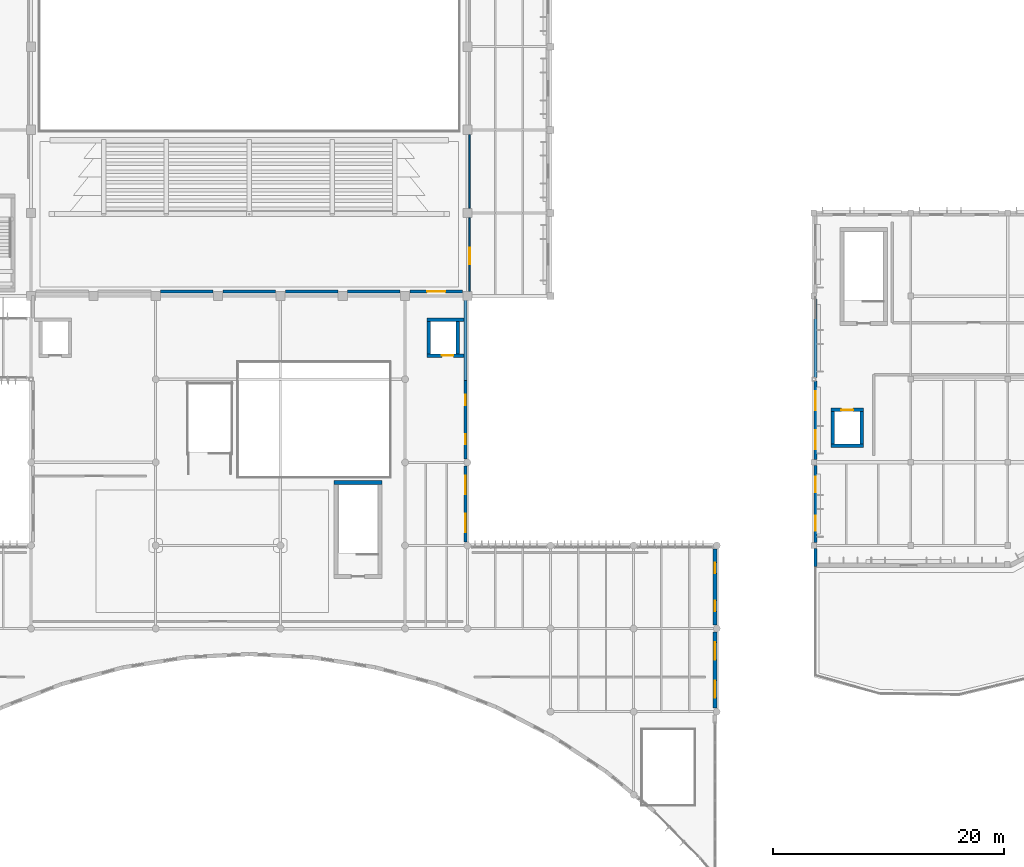
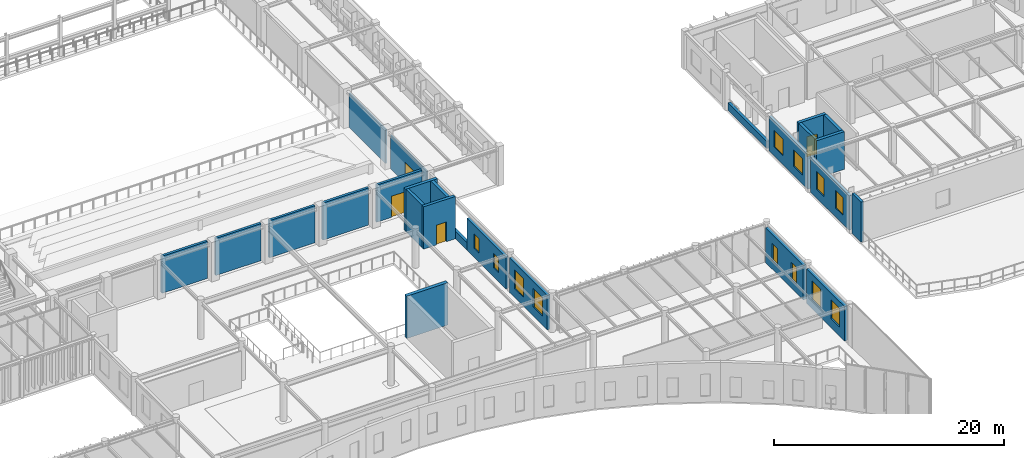
# One storey, part 40 of 104: 25 walls, 12 windows, 4 doors, 16 openings.
"""IFC4 building model written with IfcOpenShell, lengths in metres."""

import ifcopenshell
import ifcopenshell.guid

model = None  # the IFC model being written
_history = None  # IfcOwnerHistory: only IFC2X3 demands one
_inside = {}  # id of a spatial element -> (the spatial element, [elements in it])
_under = {}  # id of a project, library or spatial element -> (it, [spatial elements below it])
_declared = {}  # id of a project -> (the project, [libraries it declares])
_typed = {}  # id of a type object -> (the type object, [elements of that type])
_made_of = {}  # id of a material, layer set ... -> (it, [elements and type objects made of it])


def new_model(schema):
    """Start an empty IFC model of exactly this schema.

    Asked for "IFC4X3", IfcOpenShell would pick the latest addendum, in which some entities
    have other attributes; the version numbers below select the first issue.
    IFC2X3 requires an IfcOwnerHistory on every rooted entity: one is made here for all.
    """
    global model, _history
    if schema == "IFC4X3":
        model = ifcopenshell.file(schema_version=(4, 3, 0, 0))
    else:
        model = ifcopenshell.file(schema=schema)
    _inside.clear()
    _under.clear()
    _declared.clear()
    _typed.clear()
    _made_of.clear()
    _history = None
    if model.schema == "IFC2X3":
        org = make("IfcOrganization", Name="unknown")
        user = make(
            "IfcPersonAndOrganization",
            ThePerson=make("IfcPerson", FamilyName="unknown"),
            TheOrganization=org,
        )
        app = make(
            "IfcApplication",
            ApplicationDeveloper=org,
            Version="unknown",
            ApplicationFullName="unknown",
            ApplicationIdentifier="unknown",
        )
        _history = make(
            "IfcOwnerHistory",
            OwningUser=user,
            OwningApplication=app,
            ChangeAction="ADDED",
            CreationDate=0,
        )
    return model


def make(cls, **values):
    """One entity of the class cls with the attributes given. An attribute that is None is left unset."""
    return model.create_entity(
        cls, **{name: value for name, value in values.items() if value is not None}
    )


def rooted(cls, **values):
    """An entity with a GlobalId (a new one), such as an element, a storey or a relation."""
    return make(cls, GlobalId=ifcopenshell.guid.new(), OwnerHistory=_history, **values)


def si_unit(unit_type, name, prefix=None):
    """IfcSIUnit, for example si_unit("LENGTHUNIT", "METRE", prefix="MILLI")."""
    return make("IfcSIUnit", UnitType=unit_type, Prefix=prefix, Name=name)


def assignment(units):
    """IfcUnitAssignment: the units of a project."""
    return None if units is None else make("IfcUnitAssignment", Units=units)


def point(xyz):
    """IfcCartesianPoint."""
    return None if xyz is None else make("IfcCartesianPoint", Coordinates=xyz)


def direction(xyz):
    """IfcDirection."""
    return None if xyz is None else make("IfcDirection", DirectionRatios=xyz)


def frame(location, z_axis=None, x_axis=None):
    """IfcAxis2Placement3D, a coordinate frame: its origin and axes. An axis left out is left unset."""
    return make(
        "IfcAxis2Placement3D",
        Location=point(location),
        Axis=direction(z_axis),
        RefDirection=direction(x_axis),
    )


def frame_2d(location, x_axis=None):
    """IfcAxis2Placement2D, a coordinate frame in the plane: its origin and x axis."""
    return make(
        "IfcAxis2Placement2D", Location=point(location), RefDirection=direction(x_axis)
    )


def origin():
    """The frame at (0, 0, 0) with its axes left unset."""
    return frame((0.0, 0.0, 0.0))


def place(relative_to, where):
    """IfcLocalPlacement: puts the frame where relative to a parent placement (None: the world)."""
    return make(
        "IfcLocalPlacement", PlacementRelTo=relative_to, RelativePlacement=where
    )


def context(
    kind, dimensions, precision=None, world=None, true_north=None, identifier=None
):
    """IfcGeometricRepresentationContext, for example the 3D "Model" context."""
    return make(
        "IfcGeometricRepresentationContext",
        ContextIdentifier=identifier,
        ContextType=kind,
        CoordinateSpaceDimension=dimensions,
        Precision=precision,
        WorldCoordinateSystem=world,
        TrueNorth=true_north,
    )


def subcontext(parent, identifier, kind, view, scale=None):
    """IfcGeometricRepresentationSubContext, for example "Body" below "Model"."""
    return make(
        "IfcGeometricRepresentationSubContext",
        ContextIdentifier=identifier,
        ContextType=kind,
        ParentContext=parent,
        TargetScale=scale,
        TargetView=view,
    )


def project(units=None, contexts=None):
    """IfcProject with its units and contexts."""
    return rooted(
        "IfcProject",
        Name="project",
        RepresentationContexts=contexts,
        UnitsInContext=assignment(units),
    )


def spatial(cls, under=None, at=None, **own):
    """A site, building, storey or space (cls), placed at a placement, below another one or the project."""
    s = rooted(cls, ObjectPlacement=at, **own)
    if under is not None:
        _under.setdefault(under.id(), (under, []))[1].append(s)
    return s


def profile(cls, at=None, kind="AREA", **sizes):
    """A parametric profile (cls). Its sizes go by their IFC names, for example OverallWidth=200.0."""
    return make(cls, ProfileType=kind, Position=at, **sizes)


def rectangle(**sizes):
    """IfcRectangleProfileDef."""
    return profile("IfcRectangleProfileDef", **sizes)


def extrude(swept, where, along, depth):
    """IfcExtrudedAreaSolid: the profile swept, set in the frame where, extruded along a direction by depth."""
    return make(
        "IfcExtrudedAreaSolid",
        SweptArea=swept,
        Position=where,
        ExtrudedDirection=direction(along),
        Depth=depth,
    )


def shape(context_of_items, identifier, shape_type, items):
    """IfcShapeRepresentation: the items that make up one representation, for example the "Body"."""
    return make(
        "IfcShapeRepresentation",
        ContextOfItems=context_of_items,
        RepresentationIdentifier=identifier,
        RepresentationType=shape_type,
        Items=items,
    )


def material(Name=None, Category=None):
    """IfcMaterial."""
    return make("IfcMaterial", Name=Name, Category=Category)


def layer(
    of_material, thickness, ventilated=None, Name=None, Category=None, Priority=None
):
    """IfcMaterialLayer: one layer of a wall or slab, of a material (None: an air gap)."""
    return make(
        "IfcMaterialLayer",
        Material=of_material,
        LayerThickness=thickness,
        IsVentilated=ventilated,
        Name=Name,
        Category=Category,
        Priority=Priority,
    )


def layer_set(layers, Name=None):
    """IfcMaterialLayerSet."""
    return make("IfcMaterialLayerSet", MaterialLayers=layers, LayerSetName=Name)


def made_of(thing, what):
    """Note that an element or type object is made of a material, layer set ...; save() writes the relation."""
    if what is not None:
        _made_of.setdefault(what.id(), (what, []))[1].append(thing)
    return thing


def type_object(cls, material=None, **own):
    """A type object (cls), such as IfcWallType, which elements share."""
    return made_of(rooted(cls, **own), material)


def element(
    cls,
    number,
    at=None,
    inside=None,
    cuts=None,
    type_object=None,
    material=None,
    context=None,
    identifier="Body",
    shape_type=None,
    held_by="IfcProductDefinitionShape",
    body=None,
    shapes=None,
    **own,
):
    """One element of the class cls, such as IfcWall. Its Tag is "e" and its number.

    at: its placement. inside: the storey or other place that contains it. cuts: it is an
    opening in that element (IfcRelVoidsElement). A single representation is given by context,
    identifier, shape_type and body (its items); several are given by shapes. held_by: the class
    of the entity that holds the representations. save() writes the other relations.
    """
    e = rooted(cls, Tag="e%d" % number, ObjectPlacement=at, **own)
    if body is not None:
        shapes = [shape(context, identifier, shape_type, body)]
    if shapes is not None:
        e.Representation = make(held_by, Representations=shapes)
    if inside is not None:
        _inside.setdefault(inside.id(), (inside, []))[1].append(e)
    if cuts is not None:
        rooted(
            "IfcRelVoidsElement", RelatingBuildingElement=cuts, RelatedOpeningElement=e
        )
    if type_object is not None:
        _typed.setdefault(type_object.id(), (type_object, []))[1].append(e)
    return made_of(e, material)


def fill(opening, filler):
    """IfcRelFillsElement: the door or window that sits in an opening."""
    return rooted(
        "IfcRelFillsElement",
        RelatingOpeningElement=opening,
        RelatedBuildingElement=filler,
    )


def aggregate(whole, parts):
    """IfcRelAggregates: a whole, such as a stair, and the parts it consists of."""
    return rooted("IfcRelAggregates", RelatingObject=whole, RelatedObjects=parts)


def save(model, path):
    """Write the relations noted so far, then the file.

    IfcRelAggregates (storeys below a building ...), IfcRelContainedInSpatialStructure (elements
    in a storey), IfcRelDefinesByType, IfcRelAssociatesMaterial and IfcRelDeclares: one each for
    every whole, place, type object, material and project.
    """
    for whole, parts in _under.values():
        aggregate(whole, parts)
    for where, things in _inside.values():
        rooted(
            "IfcRelContainedInSpatialStructure",
            RelatedElements=things,
            RelatingStructure=where,
        )
    for kind, things in _typed.values():
        rooted("IfcRelDefinesByType", RelatedObjects=things, RelatingType=kind)
    for what, things in _made_of.values():
        rooted("IfcRelAssociatesMaterial", RelatedObjects=things, RelatingMaterial=what)
    for by, libraries in _declared.values():
        rooted("IfcRelDeclares", RelatingContext=by, RelatedDefinitions=libraries)
    model.write(path)


model = new_model("IFC4")

# Units and contexts
model_context = context("Model", 3, precision=1e-05, world=origin(), true_north=direction((0.0, 1.0)))
body_context = subcontext(model_context, "Body", "Model", "MODEL_VIEW")
ifc_project = project(units=[si_unit("LENGTHUNIT", "METRE"), si_unit("AREAUNIT", "SQUARE_METRE"), si_unit("VOLUMEUNIT", "CUBIC_METRE"), si_unit("PLANEANGLEUNIT", "RADIAN"), si_unit("MASSUNIT", "GRAM", prefix="KILO")], contexts=[model_context])

# Site, building, storey
site_placement = place(None, origin())
site = spatial("IfcSite", under=ifc_project, at=site_placement, CompositionType="ELEMENT")
building_placement = place(site_placement, origin())
building = spatial("IfcBuilding", under=site, at=building_placement, Name="Tazoul Stagehouse", CompositionType="ELEMENT")
storey_placement = place(building_placement, frame((0.0, 0.0, 9.0)))
storey = spatial("IfcBuildingStorey", under=building, at=storey_placement, Name="L02", CompositionType="ELEMENT", Elevation=9.0)

# Wall, opening, door
ifc_material_1 = material(Name="Gypsum Acoustic Partition", Category="gypsum")
ifc_layer_1 = layer(ifc_material_1, 0.25, Name="Gypsum Acoustic Partition")
ifc_layer_set_1 = layer_set([ifc_layer_1], Name="Gypsum Acoustic Partition")
wall_type_1 = type_object("IfcWallType", Name="Acoustic Hall Double-Stud Partition 250", PredefinedType="PARTITIONING", material=ifc_layer_set_1)
wall_1_placement = place(storey_placement, frame((94.97998046875, 52.199951171875, 0.0), z_axis=(0.0, 0.0, 1.0), x_axis=(-1.0, 0.0, 0.0)))
wall_1 = element("IfcWall", 1, at=wall_1_placement, inside=storey, type_object=wall_type_1, Name="L02 Partition PW-250 (PW-RM-L02-057-S-S1)", PredefinedType="PARTITIONING", context=body_context, shape_type="SweptSolid", body=[
    extrude(rectangle(XDim=4.56005859375, YDim=0.25, at=frame_2d((2.280029296875, 0.0))), origin(), (0.0, 0.0, 1.0), 3.949951171875),
])
opening_1_placement = place(wall_1_placement, frame((1.47998046875, 0.0, 0.0)))
opening_1 = element("IfcOpeningElement", 2, at=opening_1_placement, cuts=wall_1, Name="Opening ID-15", PredefinedType="OPENING", context=body_context, shape_type="SweptSolid", body=[
    extrude(rectangle(XDim=1.60009765625, YDim=2.25, at=frame_2d((0.800048828125, 1.125))), frame((0.0, 0.14501953125, 0.0), z_axis=(0.0, -1.0, 0.0), x_axis=(1.0, 0.0, 0.0)), (0.0, 0.0, 1.0), 0.2900390625),
])
ifc_material_2 = material(Name="Acoustic Cedar Timber", Category="wood")
door_type_1 = type_object("IfcDoorType", Name="Dress Circle Acoustic Double Door 1600x2250", OperationType="DOUBLE_DOOR_SINGLE_SWING", PredefinedType="DOOR", material=ifc_material_2)
door_1_placement = place(opening_1_placement, origin())
door_1 = element("IfcDoor", 3, at=door_1_placement, inside=storey, type_object=door_type_1, Name="L02 Upper Circle Seating Gallery Door", OperationType="DOUBLE_DOOR_SINGLE_SWING", OverallHeight=2.25, OverallWidth=1.60009765625, PredefinedType="DOOR", context=body_context, shape_type="SweptSolid", body=[
    extrude(rectangle(XDim=1.60009765625, YDim=2.25, at=frame_2d((0.800048828125, 1.125))), frame((0.0, 0.02490234375, 0.0), z_axis=(0.0, -1.0, 0.0), x_axis=(1.0, 0.0, 0.0)), (0.0, 0.0, 1.0), 0.050048828125),
])
fill(opening_1, door_1)

# Walls
wall_2_placement = place(storey_placement, frame((89.580078125, 52.199951171875, 0.0), z_axis=(0.0, 0.0, 1.0), x_axis=(-1.0, 0.0, 0.0)))
element("IfcWall", 4, at=wall_2_placement, inside=storey, type_object=wall_type_1, Name="L02 Partition PW-250 (PW-RM-L02-057-S-S2)", PredefinedType="PARTITIONING", context=body_context, shape_type="SweptSolid", body=[
    extrude(rectangle(XDim=4.56005859375, YDim=0.25, at=frame_2d((2.280029296875, 0.0))), origin(), (0.0, 0.0, 1.0), 3.949951171875),
])
wall_3_placement = place(storey_placement, frame((84.179931640625, 52.199951171875, 0.0), z_axis=(0.0, 0.0, 1.0), x_axis=(-1.0, 0.0, 0.0)))
element("IfcWall", 5, at=wall_3_placement, inside=storey, type_object=wall_type_1, Name="L02 Partition PW-250 (PW-RM-L02-057-S-S3)", PredefinedType="PARTITIONING", context=body_context, shape_type="SweptSolid", body=[
    extrude(rectangle(XDim=4.559814453125, YDim=0.25, at=frame_2d((2.27978515625, 0.0))), origin(), (0.0, 0.0, 1.0), 3.949951171875),
])
wall_4_placement = place(storey_placement, frame((78.780029296875, 52.199951171875, 0.0), z_axis=(0.0, 0.0, 1.0), x_axis=(-1.0, 0.0, 0.0)))
element("IfcWall", 6, at=wall_4_placement, inside=storey, type_object=wall_type_1, Name="L02 Partition PW-250 (PW-RM-L02-057-S-S4)", PredefinedType="PARTITIONING", context=body_context, shape_type="SweptSolid", body=[
    extrude(rectangle(XDim=4.56005859375, YDim=0.25, at=frame_2d((2.280029296875, 0.0))), origin(), (0.0, 0.0, 1.0), 3.949951171875),
])
wall_5_placement = place(storey_placement, frame((73.3798828125, 52.199951171875, 0.0), z_axis=(0.0, 0.0, 1.0), x_axis=(-1.0, 0.0, 0.0)))
element("IfcWall", 7, at=wall_5_placement, inside=storey, type_object=wall_type_1, Name="L02 Partition PW-250 (PW-RM-L02-057-S-S5)", PredefinedType="PARTITIONING", context=body_context, shape_type="SweptSolid", body=[
    extrude(rectangle(XDim=4.559814453125, YDim=0.25, at=frame_2d((2.27978515625, 0.0))), origin(), (0.0, 0.0, 1.0), 3.949951171875),
])

# Wall, openings, windows
ifc_material_3 = material(Name="Ochre Fired Clay Facing Brick Masonry", Category="masonry")
ifc_layer_2 = layer(ifc_material_3, 0.320068359375, Name="Ochre Fired Clay Facing Brick Masonry")
ifc_layer_set_2 = layer_set([ifc_layer_2], Name="Ochre Fired Clay Facing Brick Masonry")
wall_type_2 = type_object("IfcWallType", Name="Concave Crescent Ochre Brick Facade Wall 320", PredefinedType="SOLIDWALL", material=ifc_layer_set_2)
wall_6_placement = place(storey_placement, frame((116.840087890625, 16.10498046875, 0.0), z_axis=(0.0, 0.0, 1.0), x_axis=(0.0, 1.0, 0.0)))
wall_6 = element("IfcWall", 8, at=wall_6_placement, inside=storey, type_object=wall_type_2, Name="L02 Wall EW-320 (WALL-V5-E-L02-S2)", PredefinedType="SOLIDWALL", context=body_context, shape_type="SweptSolid", body=[
    extrude(rectangle(XDim=6.590087890625, YDim=0.320068359375, at=frame_2d((3.294921875, 0.0))), origin(), (0.0, 0.0, 1.0), 3.673095703125),
])
opening_2_placement = place(wall_6_placement, frame((0.8974609375, 0.0, 0.949951171875)))
opening_2 = element("IfcOpeningElement", 9, at=opening_2_placement, cuts=wall_6, Name="Opening WN-78", PredefinedType="OPENING", context=body_context, shape_type="SweptSolid", body=[
    extrude(rectangle(XDim=1.5, YDim=2.0, at=frame_2d((0.75, 1.0))), frame((0.0, 0.179931640625, 0.0), z_axis=(0.0, -1.0, 0.0), x_axis=(1.0, 0.0, 0.0)), (0.0, 0.0, 1.0), 0.360107421875),
])
opening_3_placement = place(wall_6_placement, frame((4.1923828125, 0.0, 0.949951171875)))
opening_3 = element("IfcOpeningElement", 10, at=opening_3_placement, cuts=wall_6, Name="Opening WN-78", PredefinedType="OPENING", context=body_context, shape_type="SweptSolid", body=[
    extrude(rectangle(XDim=1.5, YDim=2.0, at=frame_2d((0.75, 1.0))), frame((0.0, 0.179931640625, 0.0), z_axis=(0.0, -1.0, 0.0), x_axis=(1.0, 0.0, 0.0)), (0.0, 0.0, 1.0), 0.360107421875),
])
ifc_material_4 = material(Name="Double Low-E Acoustic Laminated Glass", Category="glass")
window_type_1 = type_object("IfcWindowType", Name="Architectural Acoustic Facade Window 1500x2000", PartitioningType="SINGLE_PANEL", PredefinedType="WINDOW", material=ifc_material_4)
window_1_placement = place(opening_2_placement, origin())
window_1 = element("IfcWindow", 11, at=window_1_placement, inside=storey, type_object=window_type_1, Name="L02 Window WN-78 (WALL-V5-E-L02-S2-W1)", OverallHeight=2.0, OverallWidth=1.5, PartitioningType="SINGLE_PANEL", PredefinedType="WINDOW", context=body_context, shape_type="SweptSolid", body=[
    extrude(rectangle(XDim=1.5, YDim=2.0, at=frame_2d((0.75, 1.0))), frame((0.0, 0.030029296875, 0.0), z_axis=(0.0, -1.0, 0.0), x_axis=(1.0, 0.0, 0.0)), (0.0, 0.0, 1.0), 0.06005859375),
])
fill(opening_2, window_1)
window_2_placement = place(opening_3_placement, origin())
window_2 = element("IfcWindow", 12, at=window_2_placement, inside=storey, type_object=window_type_1, Name="L02 Window WN-78 (WALL-V5-E-L02-S2-W2)", OverallHeight=2.0, OverallWidth=1.5, PartitioningType="SINGLE_PANEL", PredefinedType="WINDOW", context=body_context, shape_type="SweptSolid", body=[
    extrude(rectangle(XDim=1.5, YDim=2.0, at=frame_2d((0.75, 1.0))), frame((0.0, 0.030029296875, 0.0), z_axis=(0.0, -1.0, 0.0), x_axis=(1.0, 0.0, 0.0)), (0.0, 0.0, 1.0), 0.06005859375),
])
fill(opening_3, window_2)

wall_7_placement = place(storey_placement, frame((116.840087890625, 23.304931640625, 0.0), z_axis=(0.0, 0.0, 1.0), x_axis=(0.0, 1.0, 0.0)))
wall_7 = element("IfcWall", 13, at=wall_7_placement, inside=storey, type_object=wall_type_2, Name="L02 Wall EW-320 (WALL-V5-E-L02-S3)", PredefinedType="SOLIDWALL", context=body_context, shape_type="SweptSolid", body=[
    extrude(rectangle(XDim=6.590087890625, YDim=0.320068359375, at=frame_2d((3.294921875, 0.0))), origin(), (0.0, 0.0, 1.0), 3.673095703125),
])
opening_4_placement = place(wall_7_placement, frame((1.1826171875, 0.0, 0.949951171875)))
opening_4 = element("IfcOpeningElement", 14, at=opening_4_placement, cuts=wall_7, Name="Opening WN-59", PredefinedType="OPENING", context=body_context, shape_type="SweptSolid", body=[
    extrude(rectangle(XDim=0.929931640625, YDim=1.800048828125, at=frame_2d((0.46484375, 0.89990234375))), frame((0.0, 0.179931640625, 0.0), z_axis=(0.0, -1.0, 0.0), x_axis=(1.0, 0.0, 0.0)), (0.0, 0.0, 1.0), 0.360107421875),
])
opening_5_placement = place(wall_7_placement, frame((4.4775390625, 0.0, 0.949951171875)))
opening_5 = element("IfcOpeningElement", 15, at=opening_5_placement, cuts=wall_7, Name="Opening WN-59", PredefinedType="OPENING", context=body_context, shape_type="SweptSolid", body=[
    extrude(rectangle(XDim=0.929931640625, YDim=1.800048828125, at=frame_2d((0.46484375, 0.89990234375))), frame((0.0, 0.179931640625, 0.0), z_axis=(0.0, -1.0, 0.0), x_axis=(1.0, 0.0, 0.0)), (0.0, 0.0, 1.0), 0.360107421875),
])
window_type_2 = type_object("IfcWindowType", Name="Architectural Acoustic Facade Window 930x1800", PartitioningType="SINGLE_PANEL", PredefinedType="WINDOW", material=ifc_material_4)
window_3_placement = place(opening_4_placement, origin())
window_3 = element("IfcWindow", 16, at=window_3_placement, inside=storey, type_object=window_type_2, Name="L02 Window WN-59 (WALL-V5-E-L02-S3-W1)", OverallHeight=1.800048828125, OverallWidth=0.929931640625, PartitioningType="SINGLE_PANEL", PredefinedType="WINDOW", context=body_context, shape_type="SweptSolid", body=[
    extrude(rectangle(XDim=0.929931640625, YDim=1.800048828125, at=frame_2d((0.46484375, 0.89990234375))), frame((0.0, 0.030029296875, 0.0), z_axis=(0.0, -1.0, 0.0), x_axis=(1.0, 0.0, 0.0)), (0.0, 0.0, 1.0), 0.06005859375),
])
fill(opening_4, window_3)
window_4_placement = place(opening_5_placement, origin())
window_4 = element("IfcWindow", 17, at=window_4_placement, inside=storey, type_object=window_type_2, Name="L02 Window WN-59 (WALL-V5-E-L02-S3-W2)", OverallHeight=1.800048828125, OverallWidth=0.929931640625, PartitioningType="SINGLE_PANEL", PredefinedType="WINDOW", context=body_context, shape_type="SweptSolid", body=[
    extrude(rectangle(XDim=0.929931640625, YDim=1.800048828125, at=frame_2d((0.46484375, 0.89990234375))), frame((0.0, 0.030029296875, 0.0), z_axis=(0.0, -1.0, 0.0), x_axis=(1.0, 0.0, 0.0)), (0.0, 0.0, 1.0), 0.06005859375),
])
fill(opening_5, window_4)

# Walls
ifc_material_5 = material(Name="Concrete C40/50", Category="concrete")
ifc_layer_3 = layer(ifc_material_5, 0.35009765625, Name="Concrete C40/50")
ifc_layer_set_3 = layer_set([ifc_layer_3], Name="Concrete C40/50")
wall_type_3 = type_object("IfcWallType", Name="Core Shear Wall 350", PredefinedType="SOLIDWALL", material=ifc_layer_set_3)
wall_8_placement = place(storey_placement, frame((83.85009765625, 35.655029296875, 0.0), z_axis=(0.0, 0.0, 1.0), x_axis=(1.0, 0.0, 0.0)))
element("IfcWall", 18, at=wall_8_placement, inside=storey, type_object=wall_type_3, Name="L02 Core Wall CW-350 (SHF-ST-08-north)", PredefinedType="SOLIDWALL", context=body_context, shape_type="SweptSolid", body=[
    extrude(rectangle(XDim=4.14990234375, YDim=0.35009765625, at=frame_2d((2.074951171875, 0.0))), origin(), (0.0, 0.0, 1.0), 4.5),
])
ifc_material_6 = material(Name="Precast concrete C40/50", Category="concrete")
ifc_layer_4 = layer(ifc_material_6, 0.260009765625, Name="Precast concrete C40/50")
ifc_layer_set_4 = layer_set([ifc_layer_4], Name="Precast concrete C40/50")
wall_type_4 = type_object("IfcWallType", Name="Curved Studio Drum Terracotta-Concrete Wall 260", PredefinedType="SOLIDWALL", material=ifc_layer_set_4)
wall_9_placement = place(storey_placement, frame((125.550048828125, 28.39990234375, 0.0), z_axis=(0.0, 0.0, 1.0), x_axis=(0.0, 1.0, 0.0)))
element("IfcWall", 19, at=wall_9_placement, inside=storey, type_object=wall_type_4, Name="L02 Wall EW-260 (WALL-V4-W-L02-S1)", PredefinedType="SOLIDWALL", context=body_context, shape_type="SweptSolid", body=[
    extrude(rectangle(XDim=1.545166015625, YDim=0.260009765625, at=frame_2d((0.7724609375, 0.0))), origin(), (0.0, 0.0, 1.0), 4.239990234375),
])

# Wall, openings, windows
wall_10_placement = place(storey_placement, frame((125.550048828125, 30.455078125, 0.0), z_axis=(0.0, 0.0, 1.0), x_axis=(0.0, 1.0, 0.0)))
wall_10 = element("IfcWall", 20, at=wall_10_placement, inside=storey, type_object=wall_type_4, Name="L02 Wall EW-260 (WALL-V4-W-L02-S2)", PredefinedType="SOLIDWALL", context=body_context, shape_type="SweptSolid", body=[
    extrude(rectangle(XDim=6.68994140625, YDim=0.260009765625, at=frame_2d((3.344970703125, 0.0))), origin(), (0.0, 0.0, 1.0), 3.673095703125),
])
opening_6_placement = place(wall_10_placement, frame((1.012451171875, 0.0, 0.949951171875)))
opening_6 = element("IfcOpeningElement", 21, at=opening_6_placement, cuts=wall_10, Name="Opening WN-72", PredefinedType="OPENING", context=body_context, shape_type="SweptSolid", body=[
    extrude(rectangle(XDim=1.320068359375, YDim=1.89990234375, at=frame_2d((0.66015625, 0.949951171875))), frame((0.0, 0.14990234375, 0.0), z_axis=(0.0, -1.0, 0.0), x_axis=(1.0, 0.0, 0.0)), (0.0, 0.0, 1.0), 0.300048828125),
])
opening_7_placement = place(wall_10_placement, frame((4.357421875, 0.0, 0.949951171875)))
opening_7 = element("IfcOpeningElement", 22, at=opening_7_placement, cuts=wall_10, Name="Opening WN-72", PredefinedType="OPENING", context=body_context, shape_type="SweptSolid", body=[
    extrude(rectangle(XDim=1.320068359375, YDim=1.89990234375, at=frame_2d((0.66015625, 0.949951171875))), frame((0.0, 0.14990234375, 0.0), z_axis=(0.0, -1.0, 0.0), x_axis=(1.0, 0.0, 0.0)), (0.0, 0.0, 1.0), 0.300048828125),
])
window_type_3 = type_object("IfcWindowType", Name="Architectural Acoustic Facade Window 1320x1900", PartitioningType="SINGLE_PANEL", PredefinedType="WINDOW", material=ifc_material_4)
window_5_placement = place(opening_6_placement, origin())
window_5 = element("IfcWindow", 23, at=window_5_placement, inside=storey, type_object=window_type_3, Name="L02 Window WN-72 (WALL-V4-W-L02-S2-W1)", OverallHeight=1.89990234375, OverallWidth=1.320068359375, PartitioningType="SINGLE_PANEL", PredefinedType="WINDOW", context=body_context, shape_type="SweptSolid", body=[
    extrude(rectangle(XDim=1.320068359375, YDim=1.89990234375, at=frame_2d((0.66015625, 0.949951171875))), frame((0.0, 0.030029296875, 0.0), z_axis=(0.0, -1.0, 0.0), x_axis=(1.0, 0.0, 0.0)), (0.0, 0.0, 1.0), 0.06005859375),
])
fill(opening_6, window_5)
window_6_placement = place(opening_7_placement, origin())
window_6 = element("IfcWindow", 24, at=window_6_placement, inside=storey, type_object=window_type_3, Name="L02 Window WN-72 (WALL-V4-W-L02-S2-W2)", OverallHeight=1.89990234375, OverallWidth=1.320068359375, PartitioningType="SINGLE_PANEL", PredefinedType="WINDOW", context=body_context, shape_type="SweptSolid", body=[
    extrude(rectangle(XDim=1.320068359375, YDim=1.89990234375, at=frame_2d((0.66015625, 0.949951171875))), frame((0.0, 0.030029296875, 0.0), z_axis=(0.0, -1.0, 0.0), x_axis=(1.0, 0.0, 0.0)), (0.0, 0.0, 1.0), 0.06005859375),
])
fill(opening_7, window_6)

wall_11_placement = place(storey_placement, frame((125.550048828125, 37.655029296875, 0.0), z_axis=(0.0, 0.0, 1.0), x_axis=(0.0, 1.0, 0.0)))
wall_11 = element("IfcWall", 25, at=wall_11_placement, inside=storey, type_object=wall_type_4, Name="L02 Wall EW-260 (WALL-V4-W-L02-S3)", PredefinedType="SOLIDWALL", context=body_context, shape_type="SweptSolid", body=[
    extrude(rectangle(XDim=6.778076171875, YDim=0.260009765625, at=frame_2d((3.38916015625, 0.0))), origin(), (0.0, 0.0, 1.0), 3.673095703125),
])
opening_8_placement = place(wall_11_placement, frame((0.884521484375, 0.0, 0.949951171875)))
opening_8 = element("IfcOpeningElement", 26, at=opening_8_placement, cuts=wall_11, Name="Opening WN-57", PredefinedType="OPENING", context=body_context, shape_type="SweptSolid", body=[
    extrude(rectangle(XDim=1.6201171875, YDim=1.75, at=frame_2d((0.81005859375, 0.875))), frame((0.0, 0.14990234375, 0.0), z_axis=(0.0, -1.0, 0.0), x_axis=(1.0, 0.0, 0.0)), (0.0, 0.0, 1.0), 0.300048828125),
])
opening_9_placement = place(wall_11_placement, frame((4.273681640625, 0.0, 0.949951171875)))
opening_9 = element("IfcOpeningElement", 27, at=opening_9_placement, cuts=wall_11, Name="Opening WN-57", PredefinedType="OPENING", context=body_context, shape_type="SweptSolid", body=[
    extrude(rectangle(XDim=1.6201171875, YDim=1.75, at=frame_2d((0.81005859375, 0.875))), frame((0.0, 0.14990234375, 0.0), z_axis=(0.0, -1.0, 0.0), x_axis=(1.0, 0.0, 0.0)), (0.0, 0.0, 1.0), 0.300048828125),
])
window_type_4 = type_object("IfcWindowType", Name="Architectural Acoustic Facade Window 1620x1750", PartitioningType="SINGLE_PANEL", PredefinedType="WINDOW", material=ifc_material_4)
window_7_placement = place(opening_8_placement, origin())
window_7 = element("IfcWindow", 28, at=window_7_placement, inside=storey, type_object=window_type_4, Name="L02 Window WN-57 (WALL-V4-W-L02-S3-W1)", OverallHeight=1.75, OverallWidth=1.6201171875, PartitioningType="SINGLE_PANEL", PredefinedType="WINDOW", context=body_context, shape_type="SweptSolid", body=[
    extrude(rectangle(XDim=1.6201171875, YDim=1.75, at=frame_2d((0.81005859375, 0.875))), frame((0.0, 0.030029296875, 0.0), z_axis=(0.0, -1.0, 0.0), x_axis=(1.0, 0.0, 0.0)), (0.0, 0.0, 1.0), 0.06005859375),
])
fill(opening_8, window_7)
window_8_placement = place(opening_9_placement, origin())
window_8 = element("IfcWindow", 29, at=window_8_placement, inside=storey, type_object=window_type_4, Name="L02 Window WN-57 (WALL-V4-W-L02-S3-W2)", OverallHeight=1.75, OverallWidth=1.6201171875, PartitioningType="SINGLE_PANEL", PredefinedType="WINDOW", context=body_context, shape_type="SweptSolid", body=[
    extrude(rectangle(XDim=1.6201171875, YDim=1.75, at=frame_2d((0.81005859375, 0.875))), frame((0.0, 0.030029296875, 0.0), z_axis=(0.0, -1.0, 0.0), x_axis=(1.0, 0.0, 0.0)), (0.0, 0.0, 1.0), 0.06005859375),
])
fill(opening_9, window_8)

# Wall
wall_12_placement = place(storey_placement, frame((125.550048828125, 44.76708984375, 0.0), z_axis=(0.0, 0.0, 1.0), x_axis=(0.0, 1.0, 0.0)))
element("IfcWall", 30, at=wall_12_placement, inside=storey, type_object=wall_type_4, Name="L02 Wall EW-260 (WALL-V4-W-L02-S4)", PredefinedType="SOLIDWALL", context=body_context, shape_type="SweptSolid", body=[
    extrude(rectangle(XDim=6.77783203125, YDim=0.260009765625, at=frame_2d((3.388916015625, 0.0))), origin(), (0.0, 0.0, 1.0), 0.784912109375),
])

# Wall, openings, windows
ifc_layer_5 = layer(ifc_material_6, 0.280029296875, Name="Precast concrete C40/50")
ifc_layer_set_5 = layer_set([ifc_layer_5], Name="Precast concrete C40/50")
wall_type_5 = type_object("IfcWallType", Name="Insulated Precast Acoustic Cladding Wall 280", PredefinedType="SOLIDWALL", material=ifc_layer_set_5)
wall_13_placement = place(storey_placement, frame((95.239990234375, 30.5048828125, 0.0), z_axis=(0.0, 0.0, 1.0), x_axis=(0.0, 1.0, 0.0)))
wall_13 = element("IfcWall", 31, at=wall_13_placement, inside=storey, type_object=wall_type_5, Name="L02 Wall EW-280 (WALL-V5-THRE-L02-S1)", PredefinedType="SOLIDWALL", context=body_context, shape_type="SweptSolid", body=[
    extrude(rectangle(XDim=6.590087890625, YDim=0.280029296875, at=frame_2d((3.294921875, 0.0))), origin(), (0.0, 0.0, 1.0), 3.673095703125),
])
opening_10_placement = place(wall_13_placement, frame((0.8525390625, 0.0, 0.949951171875)))
opening_10 = element("IfcOpeningElement", 32, at=opening_10_placement, cuts=wall_13, Name="Opening WN-81", PredefinedType="OPENING", context=body_context, shape_type="SweptSolid", body=[
    extrude(rectangle(XDim=1.590087890625, YDim=2.0, at=frame_2d((0.794921875, 1.0))), frame((0.0, 0.159912109375, 0.0), z_axis=(0.0, -1.0, 0.0), x_axis=(1.0, 0.0, 0.0)), (0.0, 0.0, 1.0), 0.320068359375),
])
opening_11_placement = place(wall_13_placement, frame((4.1474609375, 0.0, 0.949951171875)))
opening_11 = element("IfcOpeningElement", 33, at=opening_11_placement, cuts=wall_13, Name="Opening WN-81", PredefinedType="OPENING", context=body_context, shape_type="SweptSolid", body=[
    extrude(rectangle(XDim=1.590087890625, YDim=2.0, at=frame_2d((0.794921875, 1.0))), frame((0.0, 0.159912109375, 0.0), z_axis=(0.0, -1.0, 0.0), x_axis=(1.0, 0.0, 0.0)), (0.0, 0.0, 1.0), 0.320068359375),
])
window_type_5 = type_object("IfcWindowType", Name="Architectural Acoustic Facade Window 1590x2000", PartitioningType="SINGLE_PANEL", PredefinedType="WINDOW", material=ifc_material_4)
window_9_placement = place(opening_10_placement, origin())
window_9 = element("IfcWindow", 34, at=window_9_placement, inside=storey, type_object=window_type_5, Name="L02 Window WN-81 (WALL-V5-THRE-L02-S1-W1)", OverallHeight=2.0, OverallWidth=1.590087890625, PartitioningType="SINGLE_PANEL", PredefinedType="WINDOW", context=body_context, shape_type="SweptSolid", body=[
    extrude(rectangle(XDim=1.590087890625, YDim=2.0, at=frame_2d((0.794921875, 1.0))), frame((0.0, 0.030029296875, 0.0), z_axis=(0.0, -1.0, 0.0), x_axis=(1.0, 0.0, 0.0)), (0.0, 0.0, 1.0), 0.06005859375),
])
fill(opening_10, window_9)
window_10_placement = place(opening_11_placement, origin())
window_10 = element("IfcWindow", 35, at=window_10_placement, inside=storey, type_object=window_type_5, Name="L02 Window WN-81 (WALL-V5-THRE-L02-S1-W2)", OverallHeight=2.0, OverallWidth=1.590087890625, PartitioningType="SINGLE_PANEL", PredefinedType="WINDOW", context=body_context, shape_type="SweptSolid", body=[
    extrude(rectangle(XDim=1.590087890625, YDim=2.0, at=frame_2d((0.794921875, 1.0))), frame((0.0, 0.030029296875, 0.0), z_axis=(0.0, -1.0, 0.0), x_axis=(1.0, 0.0, 0.0)), (0.0, 0.0, 1.0), 0.06005859375),
])
fill(opening_11, window_10)

wall_14_placement = place(storey_placement, frame((95.239990234375, 37.705078125, 0.0), z_axis=(0.0, 0.0, 1.0), x_axis=(0.0, 1.0, 0.0)))
wall_14 = element("IfcWall", 36, at=wall_14_placement, inside=storey, type_object=wall_type_5, Name="L02 Wall EW-280 (WALL-V5-THRE-L02-S2)", PredefinedType="SOLIDWALL", context=body_context, shape_type="SweptSolid", body=[
    extrude(rectangle(XDim=6.794921875, YDim=0.280029296875, at=frame_2d((3.3974609375, 0.0))), origin(), (0.0, 0.0, 1.0), 3.383056640625),
])
opening_12_placement = place(wall_14_placement, frame((1.248779296875, 0.0, 0.949951171875)))
opening_12 = element("IfcOpeningElement", 37, at=opening_12_placement, cuts=wall_14, Name="Opening WN-33", PredefinedType="OPENING", context=body_context, shape_type="SweptSolid", body=[
    extrude(rectangle(XDim=0.89990234375, YDim=1.550048828125, at=frame_2d((0.449951171875, 0.77490234375))), frame((0.0, 0.159912109375, 0.0), z_axis=(0.0, -1.0, 0.0), x_axis=(1.0, 0.0, 0.0)), (0.0, 0.0, 1.0), 0.320068359375),
])
opening_13_placement = place(wall_14_placement, frame((4.646240234375, 0.0, 0.949951171875)))
opening_13 = element("IfcOpeningElement", 38, at=opening_13_placement, cuts=wall_14, Name="Opening WN-33", PredefinedType="OPENING", context=body_context, shape_type="SweptSolid", body=[
    extrude(rectangle(XDim=0.89990234375, YDim=1.550048828125, at=frame_2d((0.449951171875, 0.77490234375))), frame((0.0, 0.159912109375, 0.0), z_axis=(0.0, -1.0, 0.0), x_axis=(1.0, 0.0, 0.0)), (0.0, 0.0, 1.0), 0.320068359375),
])
window_type_6 = type_object("IfcWindowType", Name="Architectural Acoustic Facade Window 900x1550", PartitioningType="SINGLE_PANEL", PredefinedType="WINDOW", material=ifc_material_4)
window_11_placement = place(opening_12_placement, origin())
window_11 = element("IfcWindow", 39, at=window_11_placement, inside=storey, type_object=window_type_6, Name="L02 Window WN-33 (WALL-V5-THRE-L02-S2-W1)", OverallHeight=1.550048828125, OverallWidth=0.89990234375, PartitioningType="SINGLE_PANEL", PredefinedType="WINDOW", context=body_context, shape_type="SweptSolid", body=[
    extrude(rectangle(XDim=0.89990234375, YDim=1.550048828125, at=frame_2d((0.449951171875, 0.77490234375))), frame((0.0, 0.030029296875, 0.0), z_axis=(0.0, -1.0, 0.0), x_axis=(1.0, 0.0, 0.0)), (0.0, 0.0, 1.0), 0.06005859375),
])
fill(opening_12, window_11)
window_12_placement = place(opening_13_placement, origin())
window_12 = element("IfcWindow", 40, at=window_12_placement, inside=storey, type_object=window_type_6, Name="L02 Window WN-33 (WALL-V5-THRE-L02-S2-W2)", OverallHeight=1.550048828125, OverallWidth=0.89990234375, PartitioningType="SINGLE_PANEL", PredefinedType="WINDOW", context=body_context, shape_type="SweptSolid", body=[
    extrude(rectangle(XDim=0.89990234375, YDim=1.550048828125, at=frame_2d((0.449951171875, 0.77490234375))), frame((0.0, 0.030029296875, 0.0), z_axis=(0.0, -1.0, 0.0), x_axis=(1.0, 0.0, 0.0)), (0.0, 0.0, 1.0), 0.06005859375),
])
fill(opening_13, window_12)

# Wall
wall_15_placement = place(storey_placement, frame((95.239990234375, 44.5, 0.0), z_axis=(0.0, 0.0, 1.0), x_axis=(0.0, 1.0, 0.0)))
element("IfcWall", 41, at=wall_15_placement, inside=storey, type_object=wall_type_5, Name="L02 Wall EW-280 (WALL-V5-THRE-N-L02)", PredefinedType="SOLIDWALL", context=body_context, shape_type="SweptSolid", body=[
    extrude(rectangle(XDim=7.35009765625, YDim=0.280029296875, at=frame_2d((3.675048828125, 0.0))), origin(), (0.0, 0.0, 1.0), 0.784912109375),
])

# Wall, opening, door
ifc_layer_6 = layer(ifc_material_5, 0.300048828125, Name="Concrete C40/50")
ifc_layer_set_6 = layer_set([ifc_layer_6], Name="Concrete C40/50")
wall_type_6 = type_object("IfcWallType", Name="Lift Shaft Wall 300", PredefinedType="SOLIDWALL", material=ifc_layer_set_6)
wall_16_placement = place(storey_placement, frame((95.090087890625, 46.64990234375, 0.0), z_axis=(0.0, 0.0, 1.0), x_axis=(-1.0, 0.0, 0.0)))
wall_16 = element("IfcWall", 42, at=wall_16_placement, inside=storey, type_object=wall_type_6, Name="L02 Core Wall CW-300 (LSHF-PL-02-south)", PredefinedType="SOLIDWALL", context=body_context, shape_type="SweptSolid", body=[
    extrude(rectangle(XDim=3.190185546875, YDim=0.300048828125, at=frame_2d((1.59521484375, 0.0))), origin(), (0.0, 0.0, 1.0), 4.5),
])
opening_14_placement = place(wall_16_placement, frame((0.89990234375, 0.0, 0.0)))
opening_14 = element("IfcOpeningElement", 43, at=opening_14_placement, cuts=wall_16, Name="Opening LD-04", PredefinedType="OPENING", context=body_context, shape_type="SweptSolid", body=[
    extrude(rectangle(XDim=1.0, YDim=2.10009765625, at=frame_2d((0.5, 1.050048828125))), frame((0.0, 0.169921875, 0.0), z_axis=(0.0, -1.0, 0.0), x_axis=(1.0, 0.0, 0.0)), (0.0, 0.0, 1.0), 0.340087890625),
])
ifc_material_7 = material(Name="Powder-Coated Galvanised Acoustic Steel", Category="steel")
door_type_2 = type_object("IfcDoorType", Name="Passenger Lift Sliding Landing Door 1000x2100", OperationType="DOUBLE_DOOR_SLIDING", PredefinedType="DOOR", material=ifc_material_7)
door_2_placement = place(opening_14_placement, origin())
door_2 = element("IfcDoor", 44, at=door_2_placement, inside=storey, type_object=door_type_2, Name="L02 Lift Landing Sliding Door LD-04 (PL-02)", OperationType="DOUBLE_DOOR_SLIDING", OverallHeight=2.10009765625, OverallWidth=1.0, PredefinedType="DOOR", context=body_context, shape_type="SweptSolid", body=[
    extrude(rectangle(XDim=1.0, YDim=2.10009765625, at=frame_2d((0.5, 1.050048828125))), frame((0.0, 0.02490234375, 0.0), z_axis=(0.0, -1.0, 0.0), x_axis=(1.0, 0.0, 0.0)), (0.0, 0.0, 1.0), 0.050048828125),
])
fill(opening_14, door_2)

# Walls
wall_17_placement = place(storey_placement, frame((92.050048828125, 46.800048828125, 0.0), z_axis=(0.0, 0.0, 1.0), x_axis=(0.0, 1.0, 0.0)))
element("IfcWall", 45, at=wall_17_placement, inside=storey, type_object=wall_type_6, Name="L02 Core Wall CW-300 (LSHF-PL-02-west)", PredefinedType="SOLIDWALL", context=body_context, shape_type="SweptSolid", body=[
    extrude(rectangle(XDim=2.800048828125, YDim=0.300048828125, at=frame_2d((1.39990234375, 0.0))), origin(), (0.0, 0.0, 1.0), 4.5),
])
wall_18_placement = place(storey_placement, frame((91.89990234375, 49.75, 0.0), z_axis=(0.0, 0.0, 1.0), x_axis=(1.0, 0.0, 0.0)))
element("IfcWall", 46, at=wall_18_placement, inside=storey, type_object=wall_type_6, Name="L02 Core Wall CW-300 (LSHF-PL-02-north)", PredefinedType="SOLIDWALL", context=body_context, shape_type="SweptSolid", body=[
    extrude(rectangle(XDim=3.190185546875, YDim=0.300048828125, at=frame_2d((1.59521484375, 0.0))), origin(), (0.0, 0.0, 1.0), 4.5),
])
wall_19_placement = place(storey_placement, frame((94.550048828125, 49.60009765625, 0.0), z_axis=(0.0, 0.0, 1.0), x_axis=(0.0, -1.0, 0.0)))
element("IfcWall", 47, at=wall_19_placement, inside=storey, type_object=wall_type_6, Name="L02 Core Wall CW-300 (LSHF-PL-02-east)", PredefinedType="SOLIDWALL", context=body_context, shape_type="SweptSolid", body=[
    extrude(rectangle(XDim=2.800048828125, YDim=0.300048828125, at=frame_2d((1.39990234375, 0.0))), origin(), (0.0, 0.0, 1.0), 4.5),
])
for number, where, z_axis, x_axis, name in (
    (48, (129.699951171875, 38.85009765625, 0.0), (0.0, 0.0, 1.0), (-1.0, 0.0, 0.0), "L02 Core Wall CW-300 (LSHF-PL-04-south)"),
    (49, (127.050048828125, 39.0, 0.0), (0.0, 0.0, 1.0), (0.0, 1.0, 0.0), "L02 Core Wall CW-300 (LSHF-PL-04-west)"),
):
    element("IfcWall", number, at=place(storey_placement, frame(where, z_axis=z_axis, x_axis=x_axis)), inside=storey, type_object=wall_type_6, Name=name, PredefinedType="SOLIDWALL", context=body_context, shape_type="SweptSolid", body=[
        extrude(rectangle(XDim=2.800048828125, YDim=0.300048828125, at=frame_2d((1.39990234375, 0.0))), origin(), (0.0, 0.0, 1.0), 4.0),
    ])

# Wall, opening, door
wall_20_placement = place(storey_placement, frame((126.89990234375, 41.949951171875, 0.0), z_axis=(0.0, 0.0, 1.0), x_axis=(1.0, 0.0, 0.0)))
wall_20 = element("IfcWall", 50, at=wall_20_placement, inside=storey, type_object=wall_type_6, Name="L02 Core Wall CW-300 (LSHF-PL-04-north)", PredefinedType="SOLIDWALL", context=body_context, shape_type="SweptSolid", body=[
    extrude(rectangle(XDim=2.800048828125, YDim=0.300048828125, at=frame_2d((1.39990234375, 0.0))), origin(), (0.0, 0.0, 1.0), 4.0),
])
opening_15_placement = place(wall_20_placement, frame((0.89990234375, 0.0, 0.0)))
opening_15 = element("IfcOpeningElement", 51, at=opening_15_placement, cuts=wall_20, Name="Opening LD-06", PredefinedType="OPENING", context=body_context, shape_type="SweptSolid", body=[
    extrude(rectangle(XDim=1.0, YDim=2.14990234375, at=frame_2d((0.5, 1.074951171875))), frame((0.0, 0.169921875, 0.0), z_axis=(0.0, -1.0, 0.0), x_axis=(1.0, 0.0, 0.0)), (0.0, 0.0, 1.0), 0.340087890625),
])
door_type_3 = type_object("IfcDoorType", Name="Studio Lift Sliding Landing Door 1000x2150", OperationType="DOUBLE_DOOR_SLIDING", PredefinedType="DOOR", material=ifc_material_7)
door_3_placement = place(opening_15_placement, origin())
door_3 = element("IfcDoor", 52, at=door_3_placement, inside=storey, type_object=door_type_3, Name="L02 Lift Landing Sliding Door LD-06 (PL-04)", OperationType="DOUBLE_DOOR_SLIDING", OverallHeight=2.14990234375, OverallWidth=1.0, PredefinedType="DOOR", context=body_context, shape_type="SweptSolid", body=[
    extrude(rectangle(XDim=1.0, YDim=2.14990234375, at=frame_2d((0.5, 1.074951171875))), frame((0.0, 0.02490234375, 0.0), z_axis=(0.0, -1.0, 0.0), x_axis=(1.0, 0.0, 0.0)), (0.0, 0.0, 1.0), 0.050048828125),
])
fill(opening_15, door_3)

# Wall
wall_21_placement = place(storey_placement, frame((129.550048828125, 41.800048828125, 0.0), z_axis=(0.0, 0.0, 1.0), x_axis=(0.0, -1.0, 0.0)))
element("IfcWall", 53, at=wall_21_placement, inside=storey, type_object=wall_type_6, Name="L02 Core Wall CW-300 (LSHF-PL-04-east)", PredefinedType="SOLIDWALL", context=body_context, shape_type="SweptSolid", body=[
    extrude(rectangle(XDim=2.800048828125, YDim=0.300048828125, at=frame_2d((1.39990234375, 0.0))), origin(), (0.0, 0.0, 1.0), 4.0),
])

# Wall, opening, door
ifc_layer_7 = layer(ifc_material_1, 0.1298828125, Name="Gypsum Acoustic Partition")
ifc_layer_set_7 = layer_set([ifc_layer_7], Name="Gypsum Acoustic Partition")
wall_type_7 = type_object("IfcWallType", Name="Office Drywall Partition 130", PredefinedType="PARTITIONING", material=ifc_layer_set_7)
wall_22_placement = place(storey_placement, frame((95.60009765625, 52.219970703125, 0.0), z_axis=(0.0, 0.0, 1.0), x_axis=(0.0, 1.0, 0.0)))
wall_22 = element("IfcWall", 54, at=wall_22_placement, inside=storey, type_object=wall_type_7, Name="L02 Partition PW-130 (PW-RM-L02-122-W-S1)", PredefinedType="PARTITIONING", context=body_context, shape_type="SweptSolid", body=[
    extrude(rectangle(XDim=6.360107421875, YDim=0.1298828125, at=frame_2d((3.18017578125, 0.0))), origin(), (0.0, 0.0, 1.0), 3.56005859375),
])
opening_16_placement = place(wall_22_placement, frame((2.331298828125, 0.0, 0.0)))
opening_16 = element("IfcOpeningElement", 55, at=opening_16_placement, cuts=wall_22, Name="Opening ID-21", PredefinedType="OPENING", context=body_context, shape_type="SweptSolid", body=[
    extrude(rectangle(XDim=1.449951171875, YDim=2.199951171875, at=frame_2d((0.72509765625, 1.10009765625))), frame((0.0, 0.0849609375, 0.0), z_axis=(0.0, -1.0, 0.0), x_axis=(1.0, 0.0, 0.0)), (0.0, 0.0, 1.0), 0.169921875),
])
door_type_4 = type_object("IfcDoorType", Name="Press Conference Double Door 1450x2200", OperationType="DOUBLE_DOOR_SINGLE_SWING", PredefinedType="DOOR", material=ifc_material_2)
door_4_placement = place(opening_16_placement, origin())
door_4 = element("IfcDoor", 56, at=door_4_placement, inside=storey, type_object=door_type_4, Name="L02 East Upper Circle Acoustic Gallery Door", OperationType="DOUBLE_DOOR_SINGLE_SWING", OverallHeight=2.199951171875, OverallWidth=1.449951171875, PredefinedType="DOOR", context=body_context, shape_type="SweptSolid", body=[
    extrude(rectangle(XDim=1.449951171875, YDim=2.199951171875, at=frame_2d((0.72509765625, 1.10009765625))), frame((0.0, 0.02490234375, 0.0), z_axis=(0.0, -1.0, 0.0), x_axis=(1.0, 0.0, 0.0)), (0.0, 0.0, 1.0), 0.050048828125),
])
fill(opening_16, door_4)

# Wall
wall_23_placement = place(storey_placement, frame((95.60009765625, 59.419921875, 0.0), z_axis=(0.0, 0.0, 1.0), x_axis=(0.0, 1.0, 0.0)))
element("IfcWall", 57, at=wall_23_placement, inside=storey, type_object=wall_type_7, Name="L02 Partition PW-130 (PW-RM-L02-122-W-S2)", PredefinedType="PARTITIONING", context=body_context, shape_type="SweptSolid", body=[
    extrude(rectangle(XDim=6.360107421875, YDim=0.1298828125, at=frame_2d((3.18017578125, 0.0))), origin(), (0.0, 0.0, 1.0), 3.64990234375),
])

save(model, "model.ifc")
